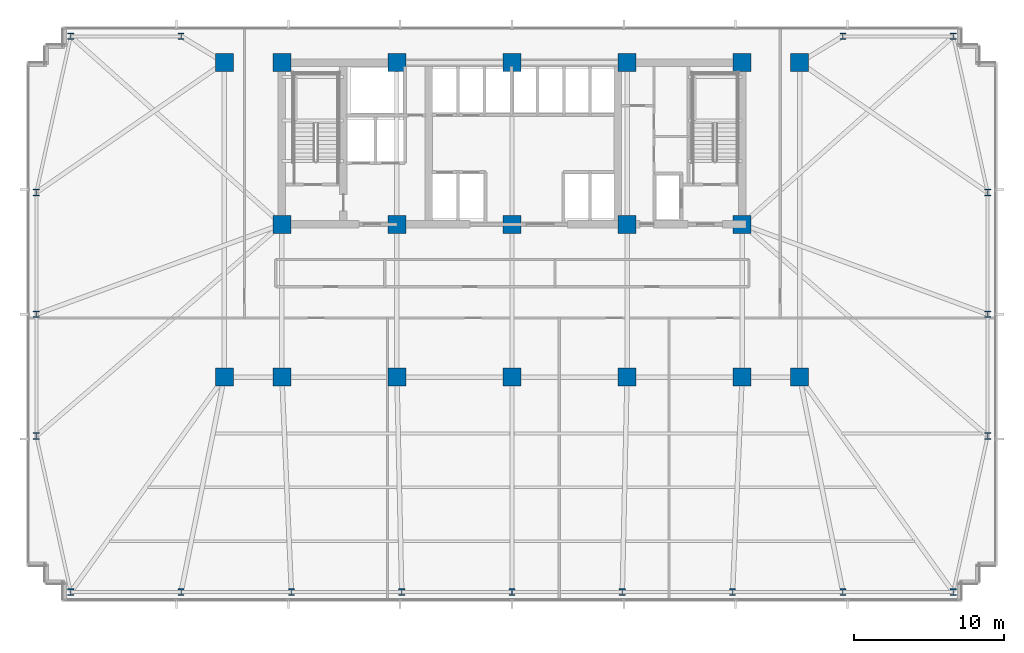
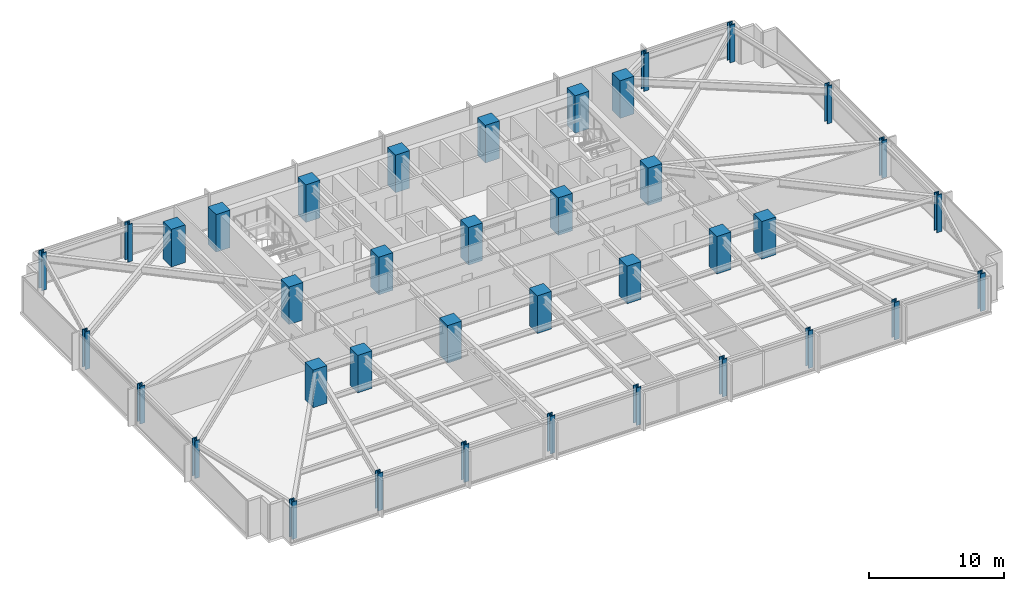
# One storey, part 1 of 32: 38 columns.
"""IFC4 building model written with IfcOpenShell, lengths in metres."""

from ifc_helpers import new_model, si_unit, direction, frame, origin, origin_2d, place, context, subcontext, project, spatial, rectangle, i_section, extrude, material, material_profile, profile_set, type_object, element, save


model = new_model("IFC4")

# Units and contexts
model_context = context("Model", 3, precision=1e-05, world=origin(), true_north=direction((0.0, 1.0)))
body_context = subcontext(model_context, "Body", "Model", "MODEL_VIEW")
ifc_project = project(units=[si_unit("LENGTHUNIT", "METRE"), si_unit("AREAUNIT", "SQUARE_METRE"), si_unit("VOLUMEUNIT", "CUBIC_METRE"), si_unit("PLANEANGLEUNIT", "RADIAN"), si_unit("MASSUNIT", "GRAM", prefix="KILO")], contexts=[model_context])

# Site, building, storey
site_placement = place(None, origin())
site = spatial("IfcSite", under=ifc_project, at=site_placement, CompositionType="ELEMENT")
building_placement = place(site_placement, origin())
building = spatial("IfcBuilding", under=site, at=building_placement, Name="Yelkora Congress Tower", CompositionType="ELEMENT")
storey_placement = place(building_placement, frame((0.0, 0.0, 67.800048828125)))
storey = spatial("IfcBuildingStorey", under=building, at=storey_placement, Name="L17", CompositionType="ELEMENT", Elevation=67.800048828125)

# Columns
ifc_material_1 = material(Name="Steel S460M", Category="steel")
ifc_material_profile_1 = material_profile(ifc_material_1, i_section(OverallWidth=0.41796875, OverallDepth=0.455078125, WebThickness=0.0419921875, FlangeThickness=0.068115234375, FilletRadius=0.014892578125, at=origin_2d()), Name="HD 400x551")
ifc_profile_set_1 = profile_set([ifc_material_profile_1], Name="Steel S460M")
column_type_1 = type_object("IfcColumnType", Name="COL-HD-551-EXT", PredefinedType="COLUMN", material=ifc_profile_set_1)
for number, where, z_axis, x_axis, name in (
    (1, (8.949951171875, 10.85009765625, 0.0), (0.0, 0.0, 1.0), (1.0, 0.0, 0.0), "L17 Perimeter Column S01"),
    (2, (16.3125, 10.85009765625, 0.0), (0.0, 0.0, 1.0), (1.0, 0.0, 0.0), "L17 Perimeter Column S02"),
    (3, (23.675048828125, 10.85009765625, 0.0), (0.0, 0.0, 1.0), (1.0, 0.0, 0.0), "L17 Perimeter Column S03"),
    (4, (31.03759765625, 10.85009765625, 0.0), (0.0, 0.0, 1.0), (1.0, 0.0, 0.0), "L17 Perimeter Column S04"),
    (5, (38.39990234375, 10.85009765625, 0.0), (0.0, 0.0, 1.0), (1.0, 0.0, 0.0), "L17 Perimeter Column S05"),
    (6, (45.762451171875, 10.85009765625, 0.0), (0.0, 0.0, 1.0), (1.0, 0.0, 0.0), "L17 Perimeter Column S06"),
    (7, (53.125, 10.85009765625, 0.0), (0.0, 0.0, 1.0), (1.0, 0.0, 0.0), "L17 Perimeter Column S07"),
    (8, (60.487548828125, 10.85009765625, 0.0), (0.0, 0.0, 1.0), (1.0, 0.0, 0.0), "L17 Perimeter Column S08"),
    (9, (67.85009765625, 10.85009765625, 0.0), (0.0, 0.0, 1.0), (1.0, 0.0, 0.0), "L17 Perimeter Column S09"),
    (10, (8.949951171875, 47.949951171875, 0.0), (0.0, 0.0, 1.0), (1.0, 0.0, 0.0), "L17 Perimeter Column N01"),
    (11, (16.3125, 47.949951171875, 0.0), (0.0, 0.0, 1.0), (1.0, 0.0, 0.0), "L17 Perimeter Column N02"),
    (12, (60.487548828125, 47.949951171875, 0.0), (0.0, 0.0, 1.0), (1.0, 0.0, 0.0), "L17 Perimeter Column N08"),
    (13, (67.85009765625, 47.949951171875, 0.0), (0.0, 0.0, 1.0), (1.0, 0.0, 0.0), "L17 Perimeter Column N09"),
    (14, (6.64990234375, 21.27490234375, 0.0), (0.0, 0.0, 1.0), (1.0, 0.0, 0.0), "L17 Perimeter Column W01"),
    (15, (70.14990234375, 21.27490234375, 0.0), (0.0, 0.0, 1.0), (1.0, 0.0, 0.0), "L17 Perimeter Column E01"),
    (16, (6.64990234375, 29.39990234375, 0.0), (0.0, 0.0, 1.0), (1.0, 0.0, 0.0), "L17 Perimeter Column W02"),
    (17, (70.14990234375, 29.39990234375, 0.0), (0.0, 0.0, 1.0), (1.0, 0.0, 0.0), "L17 Perimeter Column E02"),
    (18, (6.64990234375, 37.52490234375, 0.0), (0.0, 0.0, 1.0), (1.0, 0.0, 0.0), "L17 Perimeter Column W03"),
    (19, (70.14990234375, 37.52490234375, 0.0), (0.0, 0.0, 1.0), (1.0, 0.0, 0.0), "L17 Perimeter Column E03"),
):
    element("IfcColumn", number, at=place(storey_placement, frame(where, z_axis=z_axis, x_axis=x_axis)), inside=storey, type_object=column_type_1, Name=name, PredefinedType="COLUMN", context=body_context, shape_type="SweptSolid", body=[
        extrude(i_section(OverallWidth=0.41796875, OverallDepth=0.455078125, WebThickness=0.0419921875, FlangeThickness=0.068115234375, FilletRadius=0.014892578125, at=origin_2d()), origin(), (0.0, 0.0, 1.0), 3.39990234375),
    ])
ifc_material_2 = material(Name="Concrete C60/75", Category="concrete")
ifc_material_profile_2 = material_profile(ifc_material_2, rectangle(XDim=1.199951171875, YDim=1.199951171875, at=origin_2d()), Name="RC 1200x1200")
ifc_profile_set_2 = profile_set([ifc_material_profile_2], Name="Concrete C60/75")
column_type_2 = type_object("IfcColumnType", Name="COL-RC-1200", PredefinedType="COLUMN", material=ifc_profile_set_2)
for number, where, z_axis, x_axis, name in (
    (20, (23.0400390625, 35.39990234375, 0.0), (0.0, 0.0, 1.0), (1.0, 0.0, 0.0), "L17 Mega Column MC-S1"),
    (21, (23.0400390625, 46.199951171875, 0.0), (0.0, 0.0, 1.0), (1.0, 0.0, 0.0), "L17 Mega Column MC-N1"),
    (22, (23.0400390625, 25.199951171875, 0.0), (0.0, 0.0, 1.0), (1.0, 0.0, 0.0), "L17 Mega Column MC-D1"),
    (23, (30.719970703125, 35.39990234375, 0.0), (0.0, 0.0, 1.0), (1.0, 0.0, 0.0), "L17 Mega Column MC-S2"),
    (24, (30.719970703125, 46.199951171875, 0.0), (0.0, 0.0, 1.0), (1.0, 0.0, 0.0), "L17 Mega Column MC-N2"),
    (25, (30.719970703125, 25.199951171875, 0.0), (0.0, 0.0, 1.0), (1.0, 0.0, 0.0), "L17 Mega Column MC-D2"),
    (26, (38.39990234375, 35.39990234375, 0.0), (0.0, 0.0, 1.0), (1.0, 0.0, 0.0), "L17 Mega Column MC-S3"),
    (27, (38.39990234375, 46.199951171875, 0.0), (0.0, 0.0, 1.0), (1.0, 0.0, 0.0), "L17 Mega Column MC-N3"),
    (28, (38.39990234375, 25.199951171875, 0.0), (0.0, 0.0, 1.0), (1.0, 0.0, 0.0), "L17 Mega Column MC-D3"),
    (29, (46.080078125, 35.39990234375, 0.0), (0.0, 0.0, 1.0), (1.0, 0.0, 0.0), "L17 Mega Column MC-S4"),
    (30, (46.080078125, 46.199951171875, 0.0), (0.0, 0.0, 1.0), (1.0, 0.0, 0.0), "L17 Mega Column MC-N4"),
    (31, (46.080078125, 25.199951171875, 0.0), (0.0, 0.0, 1.0), (1.0, 0.0, 0.0), "L17 Mega Column MC-D4"),
    (32, (53.760009765625, 35.39990234375, 0.0), (0.0, 0.0, 1.0), (1.0, 0.0, 0.0), "L17 Mega Column MC-S5"),
    (33, (53.760009765625, 46.199951171875, 0.0), (0.0, 0.0, 1.0), (1.0, 0.0, 0.0), "L17 Mega Column MC-N5"),
    (34, (53.760009765625, 25.199951171875, 0.0), (0.0, 0.0, 1.0), (1.0, 0.0, 0.0), "L17 Mega Column MC-D5"),
    (35, (19.199951171875, 25.199951171875, 0.0), (0.0, 0.0, 1.0), (1.0, 0.0, 0.0), "L17 Mega Column MC-F1"),
    (36, (57.60009765625, 25.199951171875, 0.0), (0.0, 0.0, 1.0), (1.0, 0.0, 0.0), "L17 Mega Column MC-F2"),
    (37, (19.199951171875, 46.199951171875, 0.0), (0.0, 0.0, 1.0), (1.0, 0.0, 0.0), "L17 Mega Column MC-F3"),
    (38, (57.60009765625, 46.199951171875, 0.0), (0.0, 0.0, 1.0), (1.0, 0.0, 0.0), "L17 Mega Column MC-F4"),
):
    element("IfcColumn", number, at=place(storey_placement, frame(where, z_axis=z_axis, x_axis=x_axis)), inside=storey, type_object=column_type_2, Name=name, PredefinedType="COLUMN", context=body_context, shape_type="SweptSolid", body=[
        extrude(rectangle(XDim=1.199951171875, YDim=1.199951171875, at=origin_2d()), origin(), (0.0, 0.0, 1.0), 3.39990234375),
    ])

save(model, "model.ifc")
